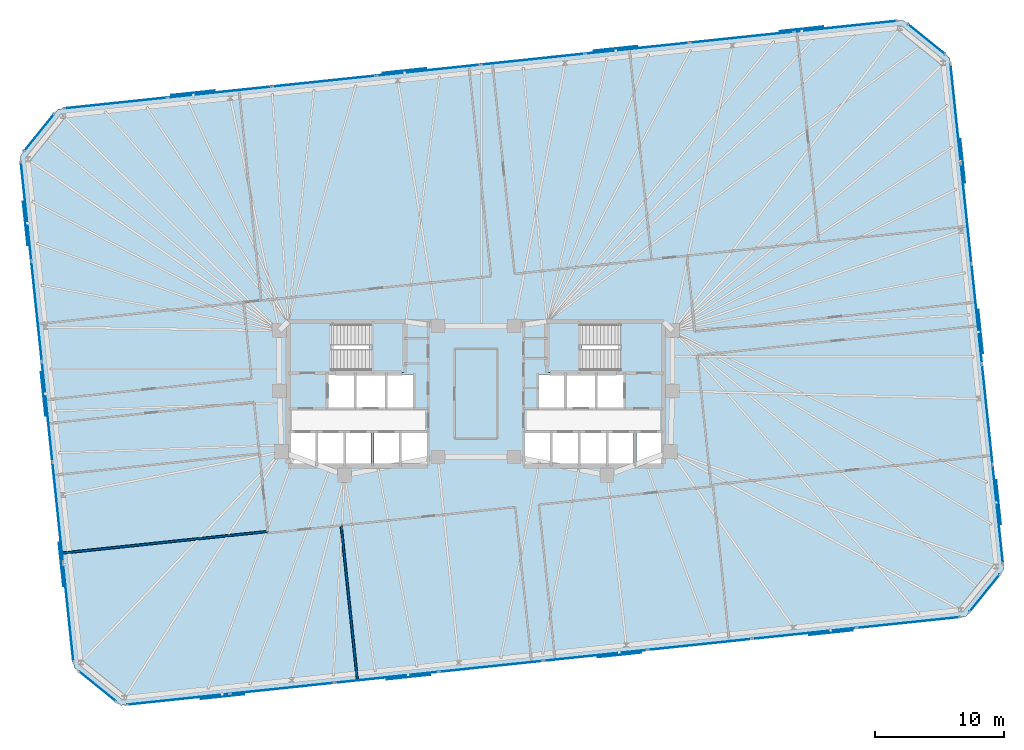
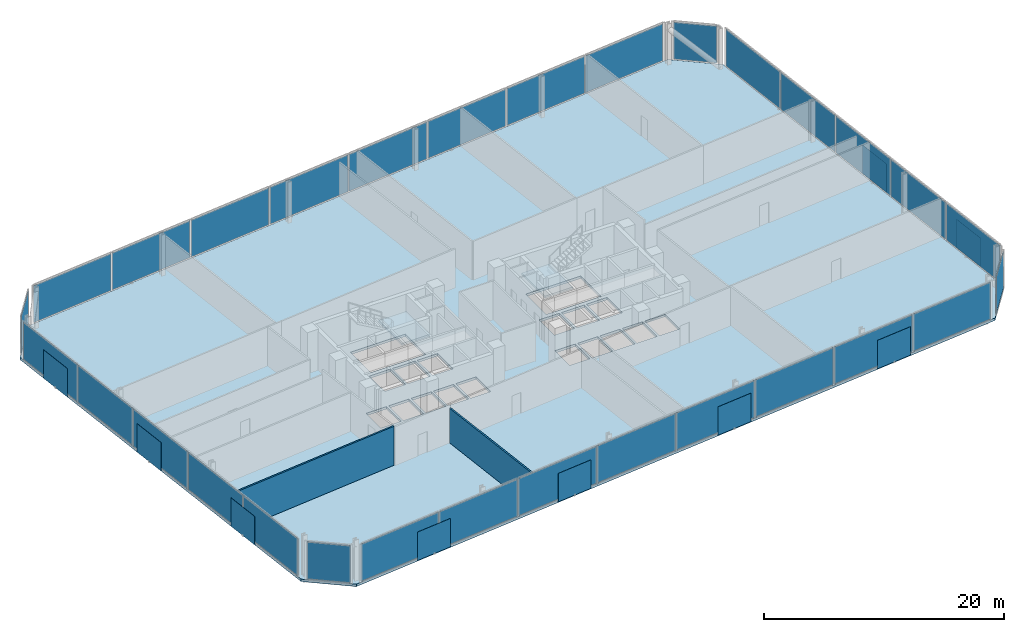
# One storey, part 11 of 16: 44 plates, 3 slabs, 2 walls, 10 elements without a shape of their own.
"""IFC4 building model written with IfcOpenShell, lengths in metres."""

from ifc_helpers import new_model, si_unit, direction, frame, frame_2d, origin, origin_2d, place, context, subcontext, project, spatial, polyline, rectangle, outline, extrude, material, layer, layer_set, type_object, element, aggregate, save


model = new_model("IFC4")

# Units and contexts
model_context = context("Model", 3, precision=1e-05, world=origin(), true_north=direction((0.0, 1.0)))
body_context = subcontext(model_context, "Body", "Model", "MODEL_VIEW")
ifc_project = project(units=[si_unit("LENGTHUNIT", "METRE"), si_unit("AREAUNIT", "SQUARE_METRE"), si_unit("VOLUMEUNIT", "CUBIC_METRE"), si_unit("PLANEANGLEUNIT", "RADIAN"), si_unit("MASSUNIT", "GRAM", prefix="KILO")], contexts=[model_context])

# Site, building, storey
site_placement = place(None, origin())
site = spatial("IfcSite", under=ifc_project, at=site_placement, CompositionType="ELEMENT")
building_placement = place(site_placement, origin())
building = spatial("IfcBuilding", under=site, at=building_placement, Name="Menara Jurai Vektor", CompositionType="ELEMENT")
storey_placement = place(building_placement, frame((0.0, 0.0, 83.199951171875)))
storey = spatial("IfcBuildingStorey", under=building, at=storey_placement, Name="L20", CompositionType="ELEMENT", Elevation=83.199951171875)

# Curtain wall, plate
ifc_material_1 = material(Name="Anodised Pale Aluminium & Low-E Double Glazing", Category="aluminium")
curtain_wall_type = type_object("IfcCurtainWallType", Name="CW-SKY", PredefinedType="NOTDEFINED", material=ifc_material_1)
curtain_wall_1_placement = place(storey_placement, origin())
curtain_wall_1 = element("IfcCurtainWall", 1, at=curtain_wall_1_placement, inside=storey, type_object=curtain_wall_type, Name="Unitised Curtain Wall L20 F02", PredefinedType="NOTDEFINED")
ifc_material_2 = material(Name="Insulated Pale Aluminium Spandrel Panel", Category="aluminium")
ifc_layer_1 = layer(ifc_material_2, 0.06005859375)
ifc_layer_set_1 = layer_set([ifc_layer_1], Name="Insulated Pale Aluminium Spandrel Panel")
plate_type_1 = type_object("IfcPlateType", Name="CW-PNL-SP", PredefinedType="CURTAIN_PANEL", material=ifc_layer_set_1)
plate_1_placement = place(storey_placement, frame((39.46826171875, -15.465087890625, 0.110107421875), z_axis=(0.0, 0.0, 1.0), x_axis=(0.62934106172, 0.777129222223, 0.0)))
plate_1 = element("IfcPlate", 2, at=plate_1_placement, type_object=plate_type_1, Name="CW-06 panel 1.1", PredefinedType="CURTAIN_PANEL", context=body_context, shape_type="SweptSolid", body=[
    extrude(rectangle(XDim=3.68701171875, YDim=0.06005859375, at=origin_2d()), origin(), (0.0, 0.0, 1.0), 3.7548828125),
])
aggregate(curtain_wall_1, [plate_1])

curtain_wall_2_placement = place(storey_placement, origin())
curtain_wall_2 = element("IfcCurtainWall", 3, at=curtain_wall_2_placement, inside=storey, type_object=curtain_wall_type, Name="Unitised Curtain Wall L20 F04", PredefinedType="NOTDEFINED")
plate_2_placement = place(storey_placement, frame((34.95263671875, 27.498291015625, 0.110107421875), z_axis=(0.0, 0.0, 1.0), x_axis=(-0.777151877437, 0.629313085353, 0.0)))
plate_2 = element("IfcPlate", 4, at=plate_2_placement, type_object=plate_type_1, Name="CW-06 panel 1.1", PredefinedType="CURTAIN_PANEL", context=body_context, shape_type="SweptSolid", body=[
    extrude(rectangle(XDim=3.68701171875, YDim=0.06005859375, at=origin_2d()), origin(), (0.0, 0.0, 1.0), 3.7548828125),
])
aggregate(curtain_wall_2, [plate_2])

curtain_wall_3_placement = place(storey_placement, origin())
curtain_wall_3 = element("IfcCurtainWall", 5, at=curtain_wall_3_placement, inside=storey, type_object=curtain_wall_type, Name="Unitised Curtain Wall L20 F06", PredefinedType="NOTDEFINED")
plate_3_placement = place(storey_placement, frame((-33.868408203125, 20.264892578125, 0.110107421875), z_axis=(0.0, 0.0, 1.0), x_axis=(-0.62934106172, -0.777129222223, 0.0)))
plate_3 = element("IfcPlate", 6, at=plate_3_placement, type_object=plate_type_1, Name="CW-06 panel 1.1", PredefinedType="CURTAIN_PANEL", context=body_context, shape_type="SweptSolid", body=[
    extrude(rectangle(XDim=3.68701171875, YDim=0.06005859375, at=origin_2d()), origin(), (0.0, 0.0, 1.0), 3.7548828125),
])
aggregate(curtain_wall_3, [plate_3])

curtain_wall_4_placement = place(storey_placement, origin())
curtain_wall_4 = element("IfcCurtainWall", 7, at=curtain_wall_4_placement, inside=storey, type_object=curtain_wall_type, Name="Unitised Curtain Wall L20 F08", PredefinedType="NOTDEFINED")
plate_4_placement = place(storey_placement, frame((-29.3525390625, -22.6982421875, 0.110107421875), z_axis=(0.0, 0.0, 1.0), x_axis=(0.777151877437, -0.629313085353, 0.0)))
plate_4 = element("IfcPlate", 8, at=plate_4_placement, type_object=plate_type_1, Name="CW-06 panel 1.1", PredefinedType="CURTAIN_PANEL", context=body_context, shape_type="SweptSolid", body=[
    extrude(rectangle(XDim=3.68701171875, YDim=0.06005859375, at=origin_2d()), origin(), (0.0, 0.0, 1.0), 3.7548828125),
])
aggregate(curtain_wall_4, [plate_4])

# Curtain wall, plates
curtain_wall_5_placement = place(storey_placement, origin())
curtain_wall_5 = element("IfcCurtainWall", 9, at=curtain_wall_5_placement, inside=storey, type_object=curtain_wall_type, Name="Unitised Curtain Wall L20 F01", PredefinedType="NOTDEFINED")
ifc_material_3 = material(Name="Low-E Solar-Control Double Glazed Unit", Category="glass")
ifc_layer_2 = layer(ifc_material_3, 0.0419921875)
ifc_layer_set_2 = layer_set([ifc_layer_2], Name="Low-E Solar-Control Double Glazed Unit")
plate_type_2 = type_object("IfcPlateType", Name="CW-SKY-PNL", PredefinedType="CURTAIN_PANEL", material=ifc_layer_set_2)
plate_5_placement = place(storey_placement, frame((-23.0849609375, -23.69873046875, 0.110107421875), z_axis=(0.0, 0.0, 1.0), x_axis=(0.994521877325, 0.104528634935, 0.0)))
plate_5 = element("IfcPlate", 10, at=plate_5_placement, type_object=plate_type_2, Name="CW-06 panel 1.1", PredefinedType="CURTAIN_PANEL", context=body_context, shape_type="SweptSolid", body=[
    extrude(rectangle(XDim=7.9775390625, YDim=0.0419921875, at=origin_2d()), origin(), (0.0, 0.0, 1.0), 3.7548828125),
])
plate_6_placement = place(storey_placement, frame((-15.014404296875, -22.850341796875, 0.110107421875), z_axis=(0.0, 0.0, 1.0), x_axis=(0.994521877325, 0.104528634935, 0.0)))
plate_6 = element("IfcPlate", 11, at=plate_6_placement, type_object=plate_type_2, Name="CW-06 panel 2.1", PredefinedType="CURTAIN_PANEL", context=body_context, shape_type="SweptSolid", body=[
    extrude(rectangle(XDim=8.032470703125, YDim=0.0419921875, at=origin_2d()), origin(), (0.0, 0.0, 1.0), 3.7548828125),
])
plate_7_placement = place(storey_placement, frame((-6.91650390625, -21.999267578125, 0.110107421875), z_axis=(0.0, 0.0, 1.0), x_axis=(0.994521877325, 0.104528634935, 0.0)))
plate_7 = element("IfcPlate", 12, at=plate_7_placement, type_object=plate_type_2, Name="CW-06 panel 3.1", PredefinedType="CURTAIN_PANEL", context=body_context, shape_type="SweptSolid", body=[
    extrude(rectangle(XDim=8.032470703125, YDim=0.0419921875, at=origin_2d()), origin(), (0.0, 0.0, 1.0), 3.7548828125),
])
plate_8_placement = place(storey_placement, frame((1.181396484375, -21.148193359375, 0.110107421875), z_axis=(0.0, 0.0, 1.0), x_axis=(0.994521877325, 0.104528634935, 0.0)))
plate_8 = element("IfcPlate", 13, at=plate_8_placement, type_object=plate_type_2, Name="CW-06 panel 4.1", PredefinedType="CURTAIN_PANEL", context=body_context, shape_type="SweptSolid", body=[
    extrude(rectangle(XDim=8.032470703125, YDim=0.0419921875, at=origin_2d()), origin(), (0.0, 0.0, 1.0), 3.7548828125),
])
plate_9_placement = place(storey_placement, frame((9.279296875, -20.297119140625, 0.110107421875), z_axis=(0.0, 0.0, 1.0), x_axis=(0.994521877325, 0.104528634935, 0.0)))
plate_9 = element("IfcPlate", 14, at=plate_9_placement, type_object=plate_type_2, Name="CW-06 panel 5.1", PredefinedType="CURTAIN_PANEL", context=body_context, shape_type="SweptSolid", body=[
    extrude(rectangle(XDim=8.032470703125, YDim=0.0419921875, at=origin_2d()), origin(), (0.0, 0.0, 1.0), 3.7548828125),
])
plate_10_placement = place(storey_placement, frame((17.377197265625, -19.44580078125, 0.110107421875), z_axis=(0.0, 0.0, 1.0), x_axis=(0.994521877325, 0.104528634935, 0.0)))
plate_10 = element("IfcPlate", 15, at=plate_10_placement, type_object=plate_type_2, Name="CW-06 panel 6.1", PredefinedType="CURTAIN_PANEL", context=body_context, shape_type="SweptSolid", body=[
    extrude(rectangle(XDim=8.032470703125, YDim=0.0419921875, at=origin_2d()), origin(), (0.0, 0.0, 1.0), 3.7548828125),
])
plate_11_placement = place(storey_placement, frame((25.47509765625, -18.5947265625, 0.110107421875), z_axis=(0.0, 0.0, 1.0), x_axis=(0.994521877325, 0.104528634935, 0.0)))
plate_11 = element("IfcPlate", 16, at=plate_11_placement, type_object=plate_type_2, Name="CW-06 panel 7.1", PredefinedType="CURTAIN_PANEL", context=body_context, shape_type="SweptSolid", body=[
    extrude(rectangle(XDim=8.032470703125, YDim=0.0419921875, at=origin_2d()), origin(), (0.0, 0.0, 1.0), 3.7548828125),
])
plate_12_placement = place(storey_placement, frame((33.545654296875, -17.74658203125, 0.110107421875), z_axis=(0.0, 0.0, 1.0), x_axis=(0.994521877325, 0.104528634935, 0.0)))
plate_12 = element("IfcPlate", 17, at=plate_12_placement, type_object=plate_type_2, Name="CW-06 panel 8.1", PredefinedType="CURTAIN_PANEL", context=body_context, shape_type="SweptSolid", body=[
    extrude(rectangle(XDim=7.9775390625, YDim=0.0419921875, at=origin_2d()), origin(), (0.0, 0.0, 1.0), 3.7548828125),
])
aggregate(curtain_wall_5, [plate_5, plate_6, plate_7, plate_8, plate_9, plate_10, plate_11, plate_12])

curtain_wall_6_placement = place(storey_placement, origin())
curtain_wall_6 = element("IfcCurtainWall", 18, at=curtain_wall_6_placement, inside=storey, type_object=curtain_wall_type, Name="Unitised Curtain Wall L20 F03", PredefinedType="NOTDEFINED")
plate_13_placement = place(storey_placement, frame((40.485107421875, -9.353759765625, 0.110107421875), z_axis=(0.0, 0.0, 1.0), x_axis=(-0.104529576902, 0.99452177832, 0.0)))
plate_13 = element("IfcPlate", 19, at=plate_13_placement, type_object=plate_type_2, Name="CW-06 panel 1.1", PredefinedType="CURTAIN_PANEL", context=body_context, shape_type="SweptSolid", body=[
    extrude(rectangle(XDim=7.6630859375, YDim=0.0419921875, at=origin_2d()), origin(), (0.0, 0.0, 1.0), 3.7548828125),
])
plate_14_placement = place(storey_placement, frame((39.669677734375, -1.595947265625, 0.110107421875), z_axis=(0.0, 0.0, 1.0), x_axis=(-0.104529576902, 0.99452177832, 0.0)))
plate_14 = element("IfcPlate", 20, at=plate_14_placement, type_object=plate_type_2, Name="CW-06 panel 2.1", PredefinedType="CURTAIN_PANEL", context=body_context, shape_type="SweptSolid", body=[
    extrude(rectangle(XDim=7.718017578125, YDim=0.0419921875, at=origin_2d()), origin(), (0.0, 0.0, 1.0), 3.7548828125),
])
plate_15_placement = place(storey_placement, frame((38.8515625, 6.189208984375, 0.110107421875), z_axis=(0.0, 0.0, 1.0), x_axis=(-0.104529576902, 0.99452177832, 0.0)))
plate_15 = element("IfcPlate", 21, at=plate_15_placement, type_object=plate_type_2, Name="CW-06 panel 3.1", PredefinedType="CURTAIN_PANEL", context=body_context, shape_type="SweptSolid", body=[
    extrude(rectangle(XDim=7.718017578125, YDim=0.0419921875, at=origin_2d()), origin(), (0.0, 0.0, 1.0), 3.7548828125),
])
plate_16_placement = place(storey_placement, frame((38.033203125, 13.974365234375, 0.110107421875), z_axis=(0.0, 0.0, 1.0), x_axis=(-0.104529576902, 0.99452177832, 0.0)))
plate_16 = element("IfcPlate", 22, at=plate_16_placement, type_object=plate_type_2, Name="CW-06 panel 4.1", PredefinedType="CURTAIN_PANEL", context=body_context, shape_type="SweptSolid", body=[
    extrude(rectangle(XDim=7.718017578125, YDim=0.0419921875, at=origin_2d()), origin(), (0.0, 0.0, 1.0), 3.7548828125),
])
plate_17_placement = place(storey_placement, frame((37.2177734375, 21.732177734375, 0.110107421875), z_axis=(0.0, 0.0, 1.0), x_axis=(-0.104529576902, 0.99452177832, 0.0)))
plate_17 = element("IfcPlate", 23, at=plate_17_placement, type_object=plate_type_2, Name="CW-06 panel 5.1", PredefinedType="CURTAIN_PANEL", context=body_context, shape_type="SweptSolid", body=[
    extrude(rectangle(XDim=7.6630859375, YDim=0.0419921875, at=origin_2d()), origin(), (0.0, 0.0, 1.0), 3.7548828125),
])
aggregate(curtain_wall_6, [plate_13, plate_14, plate_15, plate_16, plate_17])

curtain_wall_7_placement = place(storey_placement, origin())
curtain_wall_7 = element("IfcCurtainWall", 24, at=curtain_wall_7_placement, inside=storey, type_object=curtain_wall_type, Name="Unitised Curtain Wall L20 F05", PredefinedType="NOTDEFINED")
plate_18_placement = place(storey_placement, frame((28.68505859375, 28.498779296875, 0.110107421875), z_axis=(0.0, 0.0, 1.0), x_axis=(-0.994521877325, -0.104528634935, 0.0)))
plate_18 = element("IfcPlate", 25, at=plate_18_placement, type_object=plate_type_2, Name="CW-06 panel 1.1", PredefinedType="CURTAIN_PANEL", context=body_context, shape_type="SweptSolid", body=[
    extrude(rectangle(XDim=7.9775390625, YDim=0.0419921875, at=origin_2d()), origin(), (0.0, 0.0, 1.0), 3.7548828125),
])
plate_19_placement = place(storey_placement, frame((20.614501953125, 27.650390625, 0.110107421875), z_axis=(0.0, 0.0, 1.0), x_axis=(-0.994521877325, -0.104528634935, 0.0)))
plate_19 = element("IfcPlate", 26, at=plate_19_placement, type_object=plate_type_2, Name="CW-06 panel 2.1", PredefinedType="CURTAIN_PANEL", context=body_context, shape_type="SweptSolid", body=[
    extrude(rectangle(XDim=8.032470703125, YDim=0.0419921875, at=origin_2d()), origin(), (0.0, 0.0, 1.0), 3.7548828125),
])
plate_20_placement = place(storey_placement, frame((12.5166015625, 26.79931640625, 0.110107421875), z_axis=(0.0, 0.0, 1.0), x_axis=(-0.994521877325, -0.104528634935, 0.0)))
plate_20 = element("IfcPlate", 27, at=plate_20_placement, type_object=plate_type_2, Name="CW-06 panel 3.1", PredefinedType="CURTAIN_PANEL", context=body_context, shape_type="SweptSolid", body=[
    extrude(rectangle(XDim=8.032470703125, YDim=0.0419921875, at=origin_2d()), origin(), (0.0, 0.0, 1.0), 3.7548828125),
])
plate_21_placement = place(storey_placement, frame((4.418701171875, 25.9482421875, 0.110107421875), z_axis=(0.0, 0.0, 1.0), x_axis=(-0.994521877325, -0.104528634935, 0.0)))
plate_21 = element("IfcPlate", 28, at=plate_21_placement, type_object=plate_type_2, Name="CW-06 panel 4.1", PredefinedType="CURTAIN_PANEL", context=body_context, shape_type="SweptSolid", body=[
    extrude(rectangle(XDim=8.032470703125, YDim=0.0419921875, at=origin_2d()), origin(), (0.0, 0.0, 1.0), 3.7548828125),
])
plate_22_placement = place(storey_placement, frame((-3.67919921875, 25.096923828125, 0.110107421875), z_axis=(0.0, 0.0, 1.0), x_axis=(-0.994521877325, -0.104528634935, 0.0)))
plate_22 = element("IfcPlate", 29, at=plate_22_placement, type_object=plate_type_2, Name="CW-06 panel 5.1", PredefinedType="CURTAIN_PANEL", context=body_context, shape_type="SweptSolid", body=[
    extrude(rectangle(XDim=8.032470703125, YDim=0.0419921875, at=origin_2d()), origin(), (0.0, 0.0, 1.0), 3.7548828125),
])
plate_23_placement = place(storey_placement, frame((-11.777099609375, 24.245849609375, 0.110107421875), z_axis=(0.0, 0.0, 1.0), x_axis=(-0.994521877325, -0.104528634935, 0.0)))
plate_23 = element("IfcPlate", 30, at=plate_23_placement, type_object=plate_type_2, Name="CW-06 panel 6.1", PredefinedType="CURTAIN_PANEL", context=body_context, shape_type="SweptSolid", body=[
    extrude(rectangle(XDim=8.032470703125, YDim=0.0419921875, at=origin_2d()), origin(), (0.0, 0.0, 1.0), 3.7548828125),
])
plate_24_placement = place(storey_placement, frame((-19.875, 23.394775390625, 0.110107421875), z_axis=(0.0, 0.0, 1.0), x_axis=(-0.994521877325, -0.104528634935, 0.0)))
plate_24 = element("IfcPlate", 31, at=plate_24_placement, type_object=plate_type_2, Name="CW-06 panel 7.1", PredefinedType="CURTAIN_PANEL", context=body_context, shape_type="SweptSolid", body=[
    extrude(rectangle(XDim=8.032470703125, YDim=0.0419921875, at=origin_2d()), origin(), (0.0, 0.0, 1.0), 3.7548828125),
])
plate_25_placement = place(storey_placement, frame((-27.945556640625, 22.546630859375, 0.110107421875), z_axis=(0.0, 0.0, 1.0), x_axis=(-0.994521877325, -0.104528634935, 0.0)))
plate_25 = element("IfcPlate", 32, at=plate_25_placement, type_object=plate_type_2, Name="CW-06 panel 8.1", PredefinedType="CURTAIN_PANEL", context=body_context, shape_type="SweptSolid", body=[
    extrude(rectangle(XDim=7.9775390625, YDim=0.0419921875, at=origin_2d()), origin(), (0.0, 0.0, 1.0), 3.7548828125),
])
aggregate(curtain_wall_7, [plate_18, plate_19, plate_20, plate_21, plate_22, plate_23, plate_24, plate_25])

curtain_wall_8_placement = place(storey_placement, origin())
curtain_wall_8 = element("IfcCurtainWall", 33, at=curtain_wall_8_placement, inside=storey, type_object=curtain_wall_type, Name="Unitised Curtain Wall L20 F07", PredefinedType="NOTDEFINED")
plate_26_placement = place(storey_placement, frame((-34.885009765625, 14.15380859375, 0.110107421875), z_axis=(0.0, 0.0, 1.0), x_axis=(0.104529576902, -0.99452177832, 0.0)))
plate_26 = element("IfcPlate", 34, at=plate_26_placement, type_object=plate_type_2, Name="CW-06 panel 1.1", PredefinedType="CURTAIN_PANEL", context=body_context, shape_type="SweptSolid", body=[
    extrude(rectangle(XDim=7.6630859375, YDim=0.0419921875, at=origin_2d()), origin(), (0.0, 0.0, 1.0), 3.7548828125),
])
plate_27_placement = place(storey_placement, frame((-34.06982421875, 6.39599609375, 0.110107421875), z_axis=(0.0, 0.0, 1.0), x_axis=(0.104529576902, -0.99452177832, 0.0)))
plate_27 = element("IfcPlate", 35, at=plate_27_placement, type_object=plate_type_2, Name="CW-06 panel 2.1", PredefinedType="CURTAIN_PANEL", context=body_context, shape_type="SweptSolid", body=[
    extrude(rectangle(XDim=7.718017578125, YDim=0.0419921875, at=origin_2d()), origin(), (0.0, 0.0, 1.0), 3.7548828125),
])
plate_28_placement = place(storey_placement, frame((-33.25146484375, -1.38916015625, 0.110107421875), z_axis=(0.0, 0.0, 1.0), x_axis=(0.104529576902, -0.99452177832, 0.0)))
plate_28 = element("IfcPlate", 36, at=plate_28_placement, type_object=plate_type_2, Name="CW-06 panel 3.1", PredefinedType="CURTAIN_PANEL", context=body_context, shape_type="SweptSolid", body=[
    extrude(rectangle(XDim=7.718017578125, YDim=0.0419921875, at=origin_2d()), origin(), (0.0, 0.0, 1.0), 3.7548828125),
])
plate_29_placement = place(storey_placement, frame((-32.43310546875, -9.17431640625, 0.110107421875), z_axis=(0.0, 0.0, 1.0), x_axis=(0.104529576902, -0.99452177832, 0.0)))
plate_29 = element("IfcPlate", 37, at=plate_29_placement, type_object=plate_type_2, Name="CW-06 panel 4.1", PredefinedType="CURTAIN_PANEL", context=body_context, shape_type="SweptSolid", body=[
    extrude(rectangle(XDim=7.718017578125, YDim=0.0419921875, at=origin_2d()), origin(), (0.0, 0.0, 1.0), 3.7548828125),
])
plate_30_placement = place(storey_placement, frame((-31.617919921875, -16.93212890625, 0.110107421875), z_axis=(0.0, 0.0, 1.0), x_axis=(0.104529576902, -0.99452177832, 0.0)))
plate_30 = element("IfcPlate", 38, at=plate_30_placement, type_object=plate_type_2, Name="CW-06 panel 5.1", PredefinedType="CURTAIN_PANEL", context=body_context, shape_type="SweptSolid", body=[
    extrude(rectangle(XDim=7.6630859375, YDim=0.0419921875, at=origin_2d()), origin(), (0.0, 0.0, 1.0), 3.7548828125),
])
aggregate(curtain_wall_8, [plate_26, plate_27, plate_28, plate_29, plate_30])

# Plates
ifc_material_4 = material(Name="Anodised Pale Aluminium Perforated Screen", Category="aluminium")
ifc_layer_3 = layer(ifc_material_4, 0.02392578125)
ifc_layer_set_3 = layer_set([ifc_layer_3], Name="Anodised Pale Aluminium Perforated Screen")
plate_type_3 = type_object("IfcPlateType", Name="ENV-PLT-SCREEN", PredefinedType="USERDEFINED", material=ifc_layer_set_3)
for number, where, z_axis, x_axis, name in (
    (39, (-19.65771484375, -23.499267578125, -0.0498046875), (0.0, 0.0, 1.0), (0.994521895368, 0.104528463268, 0.0), "Perforated Pale-Metal Solar Screen L20-S01"),
    (40, (-5.2392578125, -21.98388671875, -0.0498046875), (0.0, 0.0, 1.0), (0.994521895368, 0.104528463268, 0.0), "Perforated Pale-Metal Solar Screen L20-S02"),
    (41, (11.1455078125, -20.26171875, -0.0498046875), (0.0, 0.0, 1.0), (0.994521895368, 0.104528463268, 0.0), "Perforated Pale-Metal Solar Screen L20-S03"),
    (42, (27.5302734375, -18.539794921875, -0.0498046875), (0.0, 0.0, 1.0), (0.994521895368, 0.104528463268, 0.0), "Perforated Pale-Metal Solar Screen L20-S04"),
    (43, (40.546875, -8.41015625, -0.0498046875), (0.0, 0.0, 1.0), (-0.104528463268, 0.994521895368, 0.0), "Perforated Pale-Metal Solar Screen L20-S05"),
    (44, (39.156494140625, 4.81689453125, -0.0498046875), (0.0, 0.0, 1.0), (-0.104528463268, 0.994521895368, 0.0), "Perforated Pale-Metal Solar Screen L20-S06"),
    (45, (37.766357421875, 18.044189453125, -0.0498046875), (0.0, 0.0, 1.0), (-0.104528463268, 0.994521895368, 0.0), "Perforated Pale-Metal Solar Screen L20-S07"),
    (46, (25.2578125, 28.29931640625, -0.0498046875), (0.0, 0.0, 1.0), (-0.994521895368, -0.104528463268, 0.0), "Perforated Pale-Metal Solar Screen L20-S08"),
    (47, (10.839111328125, 26.783935546875, -0.0498046875), (0.0, 0.0, 1.0), (-0.994521895368, -0.104528463268, 0.0), "Perforated Pale-Metal Solar Screen L20-S09"),
    (48, (-5.54541015625, 25.061767578125, -0.0498046875), (0.0, 0.0, 1.0), (-0.994521895368, -0.104528463268, 0.0), "Perforated Pale-Metal Solar Screen L20-S10"),
    (49, (-21.930419921875, 23.339599609375, -0.0498046875), (0.0, 0.0, 1.0), (-0.994521895368, -0.104528463268, 0.0), "Perforated Pale-Metal Solar Screen L20-S11"),
    (50, (-34.94677734375, 13.210205078125, -0.0498046875), (0.0, 0.0, 1.0), (0.104528463268, -0.994521895368, 0.0), "Perforated Pale-Metal Solar Screen L20-S12"),
    (51, (-33.556396484375, -0.01708984375, -0.0498046875), (0.0, 0.0, 1.0), (0.104528463268, -0.994521895368, 0.0), "Perforated Pale-Metal Solar Screen L20-S13"),
    (52, (-32.166259765625, -13.244140625, -0.0498046875), (0.0, 0.0, 1.0), (0.104528463268, -0.994521895368, 0.0), "Perforated Pale-Metal Solar Screen L20-S14"),
):
    element("IfcPlate", number, at=place(storey_placement, frame(where, z_axis=z_axis, x_axis=x_axis)), inside=storey, type_object=plate_type_3, Name=name, ObjectType="SCREEN", PredefinedType="USERDEFINED", context=body_context, shape_type="SweptSolid", body=[
        extrude(rectangle(XDim=3.39990234375, YDim=0.02392578125, at=origin_2d()), origin(), (0.0, 0.0, 1.0), 2.89990234375),
    ])

# Stair, slab
ifc_material_5 = material(Name="Concrete C40/50", Category="concrete")
stair_type = type_object("IfcStairType", Name="STAIR-DOGLEG-1500", PredefinedType="HALF_TURN_STAIR", material=ifc_material_5)
stair_1_placement = place(storey_placement, origin())
stair_1 = element("IfcStair", 53, at=stair_1_placement, inside=storey, type_object=stair_type, Name="Protected Exit Stair ST1 L20", PredefinedType="HALF_TURN_STAIR")
ifc_layer_4 = layer(ifc_material_5, 0.199951171875)
ifc_layer_set_4 = layer_set([ifc_layer_4], Name="Concrete C40/50")
slab_type_1 = type_object("IfcSlabType", Name="STAIR-LANDING-200", PredefinedType="LANDING", material=ifc_layer_set_4)
slab_1_placement = place(storey_placement, frame((0.0, 0.0, 1.900146484375)))
slab_1 = element("IfcSlab", 54, at=slab_1_placement, type_object=slab_type_1, Name="ST1 landing 1", PredefinedType="LANDING", context=body_context, shape_type="SweptSolid", body=[
    extrude(outline(polyline([(-8.239990234375, 1.64990234375), (-5.550048828125, 1.64990234375), (-5.550048828125, 5.550048828125), (-8.239990234375, 5.550048828125), (-8.239990234375, 1.64990234375)])), origin(), (0.0, 0.0, 1.0), 0.199951171875),
])
aggregate(stair_1, [slab_1])

stair_2_placement = place(storey_placement, origin())
stair_2 = element("IfcStair", 55, at=stair_2_placement, inside=storey, type_object=stair_type, Name="Protected Exit Stair ST2 L20", PredefinedType="HALF_TURN_STAIR")
slab_2_placement = place(storey_placement, frame((0.0, 0.0, 1.900146484375)))
slab_2 = element("IfcSlab", 56, at=slab_2_placement, type_object=slab_type_1, Name="ST2 landing 1", PredefinedType="LANDING", context=body_context, shape_type="SweptSolid", body=[
    extrude(outline(polyline([(5.550048828125, 1.64990234375), (8.239990234375, 1.64990234375), (8.239990234375, 5.550048828125), (5.550048828125, 5.550048828125), (5.550048828125, 1.64990234375)])), origin(), (0.0, 0.0, 1.0), 0.199951171875),
])
aggregate(stair_2, [slab_2])

# Slab
ifc_layer_5 = layer(ifc_material_5, 0.25)
ifc_layer_set_5 = layer_set([ifc_layer_5], Name="Concrete C40/50")
slab_type_2 = type_object("IfcSlabType", Name="STR-SLAB-SKY250", PredefinedType="FLOOR", material=ifc_layer_set_5)
slab_3_placement = place(storey_placement, frame((0.0, 0.0, -0.25)))
element("IfcSlab", 57, at=slab_3_placement, inside=storey, type_object=slab_type_2, Name="Composite Floor Slab L20", PredefinedType="FLOOR", context=body_context, shape_type="SweptSolid", body=[
    extrude(outline(polyline([(-27.539306640625, -24.166748046875), (37.999755859375, -17.2783203125), (40.936767578125, -13.651611328125), (36.76611328125, 26.02978515625), (33.13916015625, 28.966796875), (-32.39990234375, 22.078369140625), (-35.3369140625, 18.45166015625), (-31.166015625, -21.22998046875), (-27.539306640625, -24.166748046875)]), holes=[polyline([(-11.10009765625, 1.89990234375), (-11.10009765625, 5.300048828125), (-5.800048828125, 5.300048828125), (-5.800048828125, 1.89990234375), (-11.10009765625, 1.89990234375)]), polyline([(5.800048828125, 1.89990234375), (5.800048828125, 5.300048828125), (11.10009765625, 5.300048828125), (11.10009765625, 1.89990234375), (5.800048828125, 1.89990234375)]), polyline([(-11.449951171875, -1.050048828125), (-11.449951171875, 1.5), (-9.449951171875, 1.5), (-9.449951171875, -1.050048828125), (-11.449951171875, -1.050048828125)]), polyline([(9.449951171875, -1.050048828125), (9.449951171875, 1.5), (11.449951171875, 1.5), (11.449951171875, -1.050048828125), (9.449951171875, -1.050048828125)]), polyline([(-5.760009765625, -5.5), (-5.760009765625, -3.050048828125), (-3.800048828125, -3.050048828125), (-3.800048828125, -5.5), (-5.760009765625, -5.5)]), polyline([(-6.85009765625, -1.050048828125), (-6.85009765625, 1.5), (-4.889892578125, 1.5), (-4.889892578125, -1.050048828125), (-6.85009765625, -1.050048828125)]), polyline([(3.800048828125, -5.5), (3.800048828125, -3.050048828125), (5.760009765625, -3.050048828125), (5.760009765625, -5.5), (3.800048828125, -5.5)]), polyline([(4.889892578125, -1.050048828125), (4.889892578125, 1.5), (6.85009765625, 1.5), (6.85009765625, -1.050048828125), (4.889892578125, -1.050048828125)]), polyline([(-14.39990234375, -5.5), (-14.39990234375, -3.050048828125), (-12.43994140625, -3.050048828125), (-12.43994140625, -5.5), (-14.39990234375, -5.5)]), polyline([(-12.239990234375, -5.5), (-12.239990234375, -3.050048828125), (-10.280029296875, -3.050048828125), (-10.280029296875, -5.5), (-12.239990234375, -5.5)]), polyline([(10.280029296875, -5.5), (10.280029296875, -3.050048828125), (12.239990234375, -3.050048828125), (12.239990234375, -5.5), (10.280029296875, -5.5)]), polyline([(12.43994140625, -5.5), (12.43994140625, -3.050048828125), (14.39990234375, -3.050048828125), (14.39990234375, -5.5), (12.43994140625, -5.5)]), polyline([(-10.080078125, -5.5), (-10.080078125, -3.050048828125), (-8.1201171875, -3.050048828125), (-8.1201171875, -5.5), (-10.080078125, -5.5)]), polyline([(-7.919921875, -5.5), (-7.919921875, -3.050048828125), (-5.9599609375, -3.050048828125), (-5.9599609375, -5.5), (-7.919921875, -5.5)]), polyline([(5.9599609375, -5.5), (5.9599609375, -3.050048828125), (7.919921875, -3.050048828125), (7.919921875, -5.5), (5.9599609375, -5.5)]), polyline([(8.1201171875, -5.5), (8.1201171875, -3.050048828125), (10.080078125, -3.050048828125), (10.080078125, -5.5), (8.1201171875, -5.5)]), polyline([(-9.25, -1.050048828125), (-9.25, 1.5), (-7.050048828125, 1.5), (-7.050048828125, -1.050048828125), (-9.25, -1.050048828125)]), polyline([(7.050048828125, -1.050048828125), (7.050048828125, 1.5), (9.25, 1.5), (9.25, -1.050048828125), (7.050048828125, -1.050048828125)])]), origin(), (0.0, 0.0, 1.0), 0.25),
])

# Walls
ifc_material_6 = material(Name="Gypsum Fireboard Partition", Category="gypsum")
ifc_layer_6 = layer(ifc_material_6, 0.14990234375)
ifc_layer_set_6 = layer_set([ifc_layer_6], Name="Gypsum Fireboard Partition")
wall_type_1 = type_object("IfcWallType", Name="INT-WALL-CORR-150", PredefinedType="PARTITIONING", material=ifc_layer_set_6)
wall_1_placement = place(storey_placement, frame((-32.0986328125, -12.357666015625, 0.0), z_axis=(0.0, 0.0, 1.0), x_axis=(0.994522794159, 0.104519911488, 0.0)))
element("IfcWall", 58, at=wall_1_placement, inside=storey, type_object=wall_type_1, Name="Interior Wall IW-150 L20", PredefinedType="PARTITIONING", context=body_context, shape_type="SweptSolid", body=[
    extrude(rectangle(XDim=16.033203125, YDim=0.14990234375, at=frame_2d((8.0166015625, 0.0))), origin(), (0.0, 0.0, 1.0), 3.97509765625),
])
ifc_layer_7 = layer(ifc_material_6, 0.14990234375)
ifc_layer_set_7 = layer_set([ifc_layer_7], Name="Gypsum Fireboard Partition")
wall_type_2 = type_object("IfcWallType", Name="INT-WALL-CORR-150-H1", PredefinedType="PARTITIONING", material=ifc_layer_set_7)
wall_2_placement = place(storey_placement, frame((-9.190185546875, -22.23828125, 0.0), z_axis=(0.0, 0.0, 1.0), x_axis=(-0.104535555083, 0.994521149963, 0.0)))
element("IfcWall", 59, at=wall_2_placement, inside=storey, type_object=wall_type_2, Name="Interior Wall IW-150 L20", PredefinedType="PARTITIONING", context=body_context, shape_type="SweptSolid", body=[
    extrude(rectangle(XDim=12.093017578125, YDim=0.14990234375, at=frame_2d((6.04638671875, 0.0))), origin(), (0.0, 0.0, 1.0), 3.525146484375),
])

save(model, "model.ifc")
